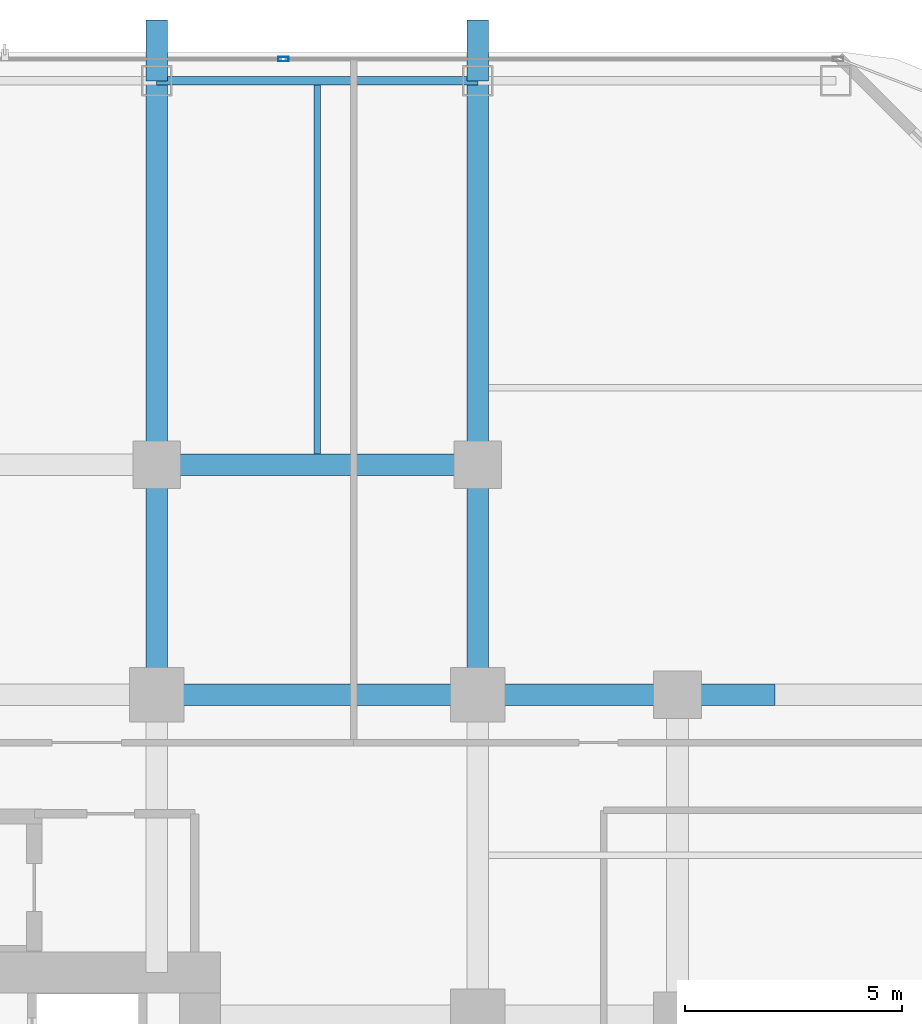
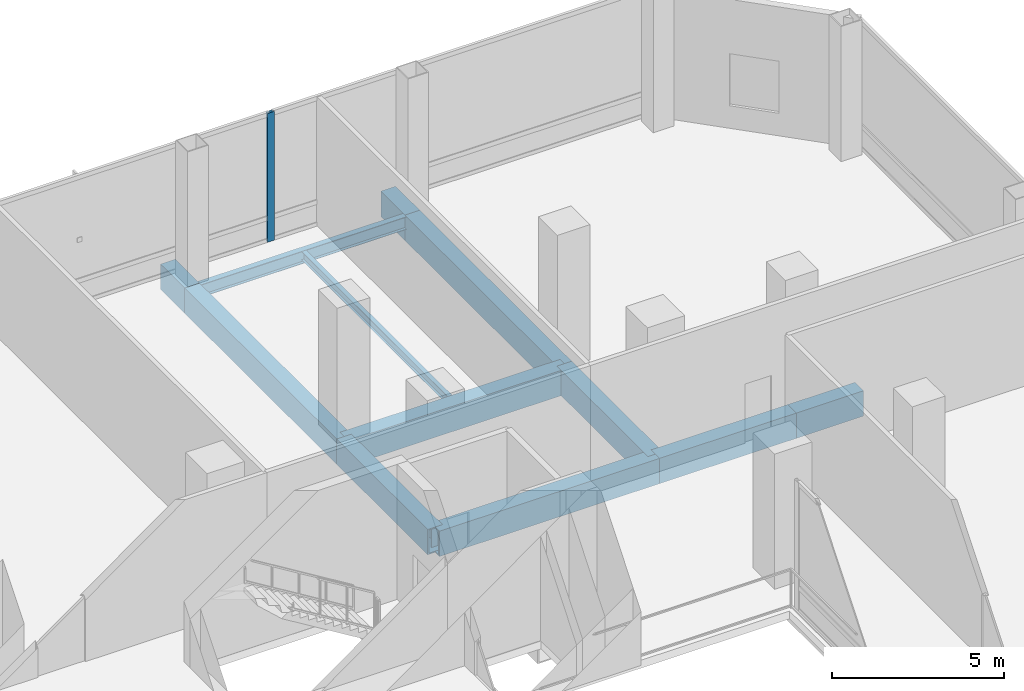
# One storey, part 17 of 28: 12 beams, 1 member, 1 element without a shape of its own.
"""IFC4 building model written with IfcOpenShell, lengths in metres."""

from ifc_helpers import new_model, si_unit, direction, frame, origin, origin_2d, place, context, subcontext, project, spatial, hollow_rectangle, i_section, extrude, material, layer, layer_set, material_profile, profile_set, type_object, element, aggregate, save


model = new_model("IFC4")

# Units and contexts
model_context = context("Model", 3, precision=1e-05, world=origin(), true_north=direction((0.0, 1.0)))
body_context = subcontext(model_context, "Body", "Model", "MODEL_VIEW")
ifc_project = project(units=[si_unit("LENGTHUNIT", "METRE"), si_unit("AREAUNIT", "SQUARE_METRE"), si_unit("VOLUMEUNIT", "CUBIC_METRE"), si_unit("PLANEANGLEUNIT", "RADIAN"), si_unit("MASSUNIT", "GRAM", prefix="KILO")], contexts=[model_context])

# Site, building, storey
site_placement = place(None, origin())
site = spatial("IfcSite", under=ifc_project, at=site_placement, CompositionType="ELEMENT")
building_placement = place(site_placement, origin())
building = spatial("IfcBuilding", under=site, at=building_placement, Name="Khorvyn Point Tower", CompositionType="ELEMENT")
storey_placement = place(building_placement, frame((0.0, 0.0, 108.60009765625)))
storey = spatial("IfcBuildingStorey", under=building, at=storey_placement, Name="L27", CompositionType="ELEMENT", Elevation=108.60009765625)

# Curtain wall, member
ifc_material_1 = material(Name="Anodised aluminium 6063-T6 and laminated Low-E glass", Category="aluminium")
ifc_layer = layer(ifc_material_1, 0.18994140625)
ifc_layer_set = layer_set([ifc_layer], Name="Stick-Built Sky-Lobby Curtain Wall CW-SYS-05")
curtain_wall_type = type_object("IfcCurtainWallType", Name="Stick-Built Sky-Lobby Curtain Wall CW-SYS-05", PredefinedType="NOTDEFINED", material=ifc_layer_set)
curtain_wall_placement = place(storey_placement, origin())
curtain_wall = element("IfcCurtainWall", 1, at=curtain_wall_placement, inside=storey, type_object=curtain_wall_type, Name="Curtain Wall", PredefinedType="NOTDEFINED")
ifc_material_2 = material(Name="Anodised aluminium 6063-T6", Category="aluminium")
ifc_material_profile_1 = material_profile(ifc_material_2, hollow_rectangle(XDim=0.10009765625, YDim=0.239990234375, WallThickness=0.0048828125, at=origin_2d()))
ifc_profile_set_1 = profile_set([ifc_material_profile_1], Name="Anodised aluminium 6063-T6 ALU-MUL-100x240")
member_type = type_object("IfcMemberType", Name="Anodised Aluminium 6063-T6 Mullion ALU-MUL-100x240", PredefinedType="MULLION", material=ifc_profile_set_1)
member_placement = place(storey_placement, frame((10.316650390625, 29.449951171875, 0.0), z_axis=(0.0, 0.0, 1.0), x_axis=(0.0, 1.0, 0.0)))
member = element("IfcMember", 2, at=member_placement, type_object=member_type, Name="Transom", PredefinedType="MULLION", context=body_context, shape_type="SweptSolid", body=[
    extrude(hollow_rectangle(XDim=0.10009765625, YDim=0.239990234375, WallThickness=0.0048828125, at=origin_2d()), origin(), (0.0, 0.0, 1.0), 4.579833984375),
])
aggregate(curtain_wall, [member])

# Beams
ifc_material_3 = material(Name="Steel S355", Category="steel")
ifc_material_profile_2 = material_profile(ifc_material_3, i_section(OverallWidth=0.14990234375, OverallDepth=0.300048828125, WebThickness=0.006591796875, FlangeThickness=0.009033203125, at=origin_2d()))
ifc_profile_set_2 = profile_set([ifc_material_profile_2], Name="Steel S355 H300x150x6.5x9")
beam_type_1 = type_object("IfcBeamType", Name="Steel S355 Joist H300x150x6.5x9", PredefinedType="JOIST", material=ifc_profile_set_2)
beam_1_placement = place(storey_placement, frame((11.10009765625, 20.35009765625, -0.43017578125), z_axis=(0.0, 1.0, 0.0), x_axis=(-1.0, 0.0, 0.0)))
element("IfcBeam", 3, at=beam_1_placement, inside=storey, type_object=beam_type_1, Name="Beam", PredefinedType="JOIST", context=body_context, shape_type="SweptSolid", body=[
    extrude(i_section(OverallWidth=0.14990234375, OverallDepth=0.300048828125, WebThickness=0.006591796875, FlangeThickness=0.009033203125, at=origin_2d()), origin(), (0.0, 0.0, 1.0), 8.5),
])
ifc_material_profile_3 = material_profile(ifc_material_3, i_section(OverallWidth=0.199951171875, OverallDepth=0.449951171875, WebThickness=0.009033203125, FlangeThickness=0.013916015625, at=origin_2d()))
ifc_profile_set_3 = profile_set([ifc_material_profile_3], Name="Steel S355 H450x200x9x14")
beam_type_2 = type_object("IfcBeamType", Name="Steel S355 Spandrel H450x200x9x14", PredefinedType="SPANDREL", material=ifc_profile_set_3)
beam_2_placement = place(storey_placement, frame((7.39990234375, 28.949951171875, -0.505126953125), z_axis=(1.0, 0.0, 0.0), x_axis=(0.0, 1.0, 0.0)))
element("IfcBeam", 4, at=beam_2_placement, inside=storey, type_object=beam_type_2, Name="Beam", PredefinedType="SPANDREL", context=body_context, shape_type="SweptSolid", body=[
    extrude(i_section(OverallWidth=0.199951171875, OverallDepth=0.449951171875, WebThickness=0.009033203125, FlangeThickness=0.013916015625, at=origin_2d()), origin(), (0.0, 0.0, 1.0), 7.400146484375),
])
ifc_material_4 = material(Name="Steel S450", Category="steel")
ifc_material_profile_4 = material_profile(ifc_material_4, hollow_rectangle(XDim=0.5, YDim=0.89990234375, WallThickness=0.0400390625, at=origin_2d()))
ifc_profile_set_4 = profile_set([ifc_material_profile_4], Name="Steel S450 BOX900x500x40")
beam_type_3 = type_object("IfcBeamType", Name="Steel S450 Beam BOX900x500x40", PredefinedType="BEAM", material=ifc_profile_set_4)
beam_3_placement = place(storey_placement, frame((7.39990234375, 14.800048828125, -0.72998046875), z_axis=(1.0, 0.0, 0.0), x_axis=(0.0, 1.0, 0.0)))
element("IfcBeam", 5, at=beam_3_placement, inside=storey, type_object=beam_type_3, Name="L27 Radial Transfer Girder", PredefinedType="BEAM", context=body_context, shape_type="SweptSolid", body=[
    extrude(hollow_rectangle(XDim=0.5, YDim=0.89990234375, WallThickness=0.0400390625, at=origin_2d()), origin(), (0.0, 0.0, 1.0), 7.400146484375),
])
beam_4_placement = place(storey_placement, frame((14.800048828125, 14.800048828125, -0.72998046875), z_axis=(1.0, 0.0, 0.0), x_axis=(0.0, 1.0, 0.0)))
element("IfcBeam", 6, at=beam_4_placement, inside=storey, type_object=beam_type_3, Name="L27 Radial Transfer Girder", PredefinedType="BEAM", context=body_context, shape_type="SweptSolid", body=[
    extrude(hollow_rectangle(XDim=0.5, YDim=0.89990234375, WallThickness=0.0400390625, at=origin_2d()), origin(), (0.0, 0.0, 1.0), 4.599853515625),
])
beam_5_placement = place(storey_placement, frame((19.39990234375, 14.800048828125, -0.72998046875), z_axis=(1.0, 0.0, 0.0), x_axis=(0.0, 1.0, 0.0)))
element("IfcBeam", 7, at=beam_5_placement, inside=storey, type_object=beam_type_3, Name="L27 Radial Transfer Girder", PredefinedType="BEAM", context=body_context, shape_type="SweptSolid", body=[
    extrude(hollow_rectangle(XDim=0.5, YDim=0.89990234375, WallThickness=0.0400390625, at=origin_2d()), origin(), (0.0, 0.0, 1.0), 2.25),
])
beam_6_placement = place(storey_placement, frame((7.39990234375, 20.10009765625, -0.72998046875), z_axis=(1.0, 0.0, 0.0), x_axis=(0.0, 1.0, 0.0)))
element("IfcBeam", 8, at=beam_6_placement, inside=storey, type_object=beam_type_3, Name="Beam", PredefinedType="BEAM", context=body_context, shape_type="SweptSolid", body=[
    extrude(hollow_rectangle(XDim=0.5, YDim=0.89990234375, WallThickness=0.0400390625, at=origin_2d()), origin(), (0.0, 0.0, 1.0), 7.400146484375),
])
beam_7_placement = place(storey_placement, frame((14.800048828125, 14.800048828125, -0.72998046875), z_axis=(0.0, 1.0, 0.0), x_axis=(-1.0, 0.0, 0.0)))
element("IfcBeam", 9, at=beam_7_placement, inside=storey, type_object=beam_type_3, Name="L27 Radial Transfer Girder", PredefinedType="BEAM", context=body_context, shape_type="SweptSolid", body=[
    extrude(hollow_rectangle(XDim=0.5, YDim=0.89990234375, WallThickness=0.0400390625, at=origin_2d()), origin(), (0.0, 0.0, 1.0), 5.300048828125),
])
beam_8_placement = place(storey_placement, frame((14.800048828125, 20.10009765625, -0.72998046875), z_axis=(0.0, 1.0, 0.0), x_axis=(-1.0, 0.0, 0.0)))
element("IfcBeam", 10, at=beam_8_placement, inside=storey, type_object=beam_type_3, Name="L27 Radial Transfer Girder", PredefinedType="BEAM", context=body_context, shape_type="SweptSolid", body=[
    extrude(hollow_rectangle(XDim=0.5, YDim=0.89990234375, WallThickness=0.0400390625, at=origin_2d()), origin(), (0.0, 0.0, 1.0), 8.849853515625),
])
beam_9_placement = place(storey_placement, frame((14.800048828125, 28.949951171875, -0.72998046875), z_axis=(0.0, 1.0, 0.0), x_axis=(-1.0, 0.0, 0.0)))
element("IfcBeam", 11, at=beam_9_placement, inside=storey, type_object=beam_type_3, Name="L27 Radial Transfer Girder", PredefinedType="BEAM", context=body_context, shape_type="SweptSolid", body=[
    extrude(hollow_rectangle(XDim=0.5, YDim=0.89990234375, WallThickness=0.0400390625, at=origin_2d()), origin(), (0.0, 0.0, 1.0), 1.400146484375),
])
beam_10_placement = place(storey_placement, frame((7.39990234375, 14.800048828125, -0.72998046875), z_axis=(0.0, 1.0, 0.0), x_axis=(-1.0, 0.0, 0.0)))
element("IfcBeam", 12, at=beam_10_placement, inside=storey, type_object=beam_type_3, Name="Beam", PredefinedType="BEAM", context=body_context, shape_type="SweptSolid", body=[
    extrude(hollow_rectangle(XDim=0.5, YDim=0.89990234375, WallThickness=0.0400390625, at=origin_2d()), origin(), (0.0, 0.0, 1.0), 5.300048828125),
])
beam_11_placement = place(storey_placement, frame((7.39990234375, 20.10009765625, -0.72998046875), z_axis=(0.0, 1.0, 0.0), x_axis=(-1.0, 0.0, 0.0)))
element("IfcBeam", 13, at=beam_11_placement, inside=storey, type_object=beam_type_3, Name="Beam", PredefinedType="BEAM", context=body_context, shape_type="SweptSolid", body=[
    extrude(hollow_rectangle(XDim=0.5, YDim=0.89990234375, WallThickness=0.0400390625, at=origin_2d()), origin(), (0.0, 0.0, 1.0), 8.849853515625),
])
beam_12_placement = place(storey_placement, frame((7.39990234375, 28.949951171875, -0.72998046875), z_axis=(0.0, 1.0, 0.0), x_axis=(-1.0, 0.0, 0.0)))
element("IfcBeam", 14, at=beam_12_placement, inside=storey, type_object=beam_type_3, Name="Beam", PredefinedType="BEAM", context=body_context, shape_type="SweptSolid", body=[
    extrude(hollow_rectangle(XDim=0.5, YDim=0.89990234375, WallThickness=0.0400390625, at=origin_2d()), origin(), (0.0, 0.0, 1.0), 1.400146484375),
])

save(model, "model.ifc")
